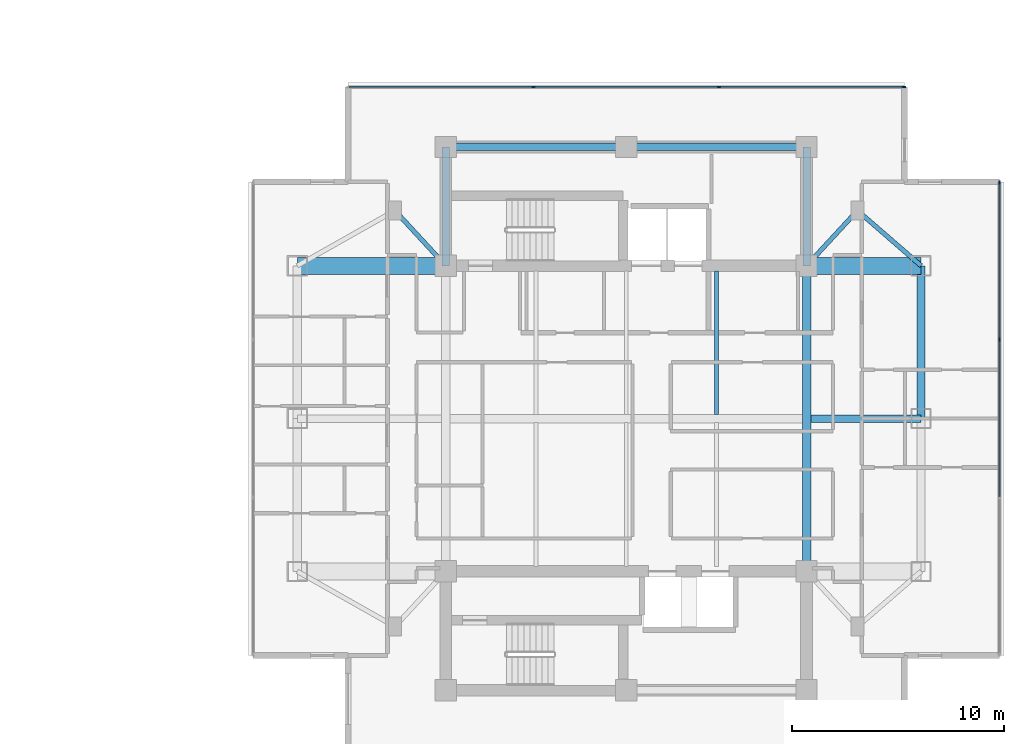
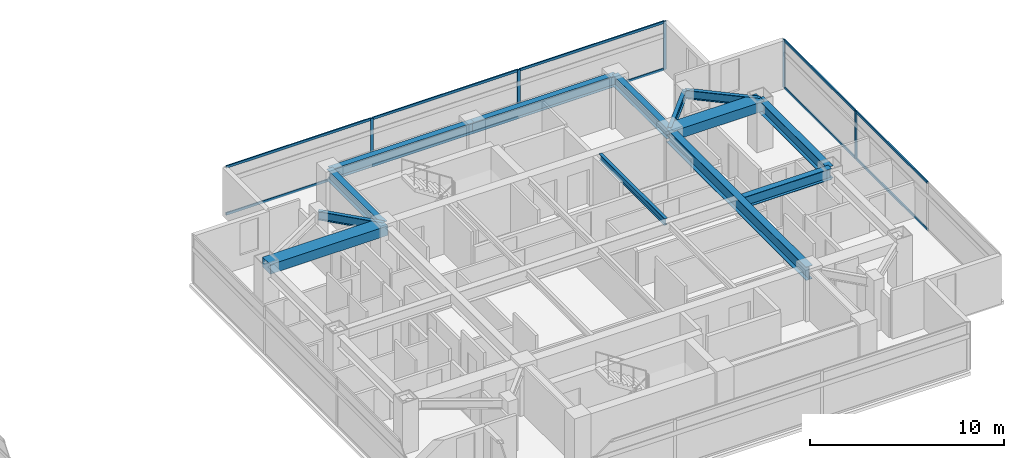
# One storey, part 10 of 24: 15 members, 13 beams, 2 elements without a shape of their own.
"""IFC4 building model written with IfcOpenShell, lengths in metres."""

import ifcopenshell
import ifcopenshell.guid

model = None  # the IFC model being written
_history = None  # IfcOwnerHistory: only IFC2X3 demands one
_inside = {}  # id of a spatial element -> (the spatial element, [elements in it])
_under = {}  # id of a project, library or spatial element -> (it, [spatial elements below it])
_declared = {}  # id of a project -> (the project, [libraries it declares])
_typed = {}  # id of a type object -> (the type object, [elements of that type])
_made_of = {}  # id of a material, layer set ... -> (it, [elements and type objects made of it])


def new_model(schema):
    """Start an empty IFC model of exactly this schema.

    Asked for "IFC4X3", IfcOpenShell would pick the latest addendum, in which some entities
    have other attributes; the version numbers below select the first issue.
    IFC2X3 requires an IfcOwnerHistory on every rooted entity: one is made here for all.
    """
    global model, _history
    if schema == "IFC4X3":
        model = ifcopenshell.file(schema_version=(4, 3, 0, 0))
    else:
        model = ifcopenshell.file(schema=schema)
    _inside.clear()
    _under.clear()
    _declared.clear()
    _typed.clear()
    _made_of.clear()
    _history = None
    if model.schema == "IFC2X3":
        org = make("IfcOrganization", Name="unknown")
        user = make(
            "IfcPersonAndOrganization",
            ThePerson=make("IfcPerson", FamilyName="unknown"),
            TheOrganization=org,
        )
        app = make(
            "IfcApplication",
            ApplicationDeveloper=org,
            Version="unknown",
            ApplicationFullName="unknown",
            ApplicationIdentifier="unknown",
        )
        _history = make(
            "IfcOwnerHistory",
            OwningUser=user,
            OwningApplication=app,
            ChangeAction="ADDED",
            CreationDate=0,
        )
    return model


def make(cls, **values):
    """One entity of the class cls with the attributes given. An attribute that is None is left unset."""
    return model.create_entity(
        cls, **{name: value for name, value in values.items() if value is not None}
    )


def rooted(cls, **values):
    """An entity with a GlobalId (a new one), such as an element, a storey or a relation."""
    return make(cls, GlobalId=ifcopenshell.guid.new(), OwnerHistory=_history, **values)


def si_unit(unit_type, name, prefix=None):
    """IfcSIUnit, for example si_unit("LENGTHUNIT", "METRE", prefix="MILLI")."""
    return make("IfcSIUnit", UnitType=unit_type, Prefix=prefix, Name=name)


def assignment(units):
    """IfcUnitAssignment: the units of a project."""
    return None if units is None else make("IfcUnitAssignment", Units=units)


def point(xyz):
    """IfcCartesianPoint."""
    return None if xyz is None else make("IfcCartesianPoint", Coordinates=xyz)


def direction(xyz):
    """IfcDirection."""
    return None if xyz is None else make("IfcDirection", DirectionRatios=xyz)


def frame(location, z_axis=None, x_axis=None):
    """IfcAxis2Placement3D, a coordinate frame: its origin and axes. An axis left out is left unset."""
    return make(
        "IfcAxis2Placement3D",
        Location=point(location),
        Axis=direction(z_axis),
        RefDirection=direction(x_axis),
    )


def frame_2d(location, x_axis=None):
    """IfcAxis2Placement2D, a coordinate frame in the plane: its origin and x axis."""
    return make(
        "IfcAxis2Placement2D", Location=point(location), RefDirection=direction(x_axis)
    )


def origin():
    """The frame at (0, 0, 0) with its axes left unset."""
    return frame((0.0, 0.0, 0.0))


def origin_2d():
    """The frame at (0, 0) in the plane with its x axis left unset."""
    return frame_2d((0.0, 0.0))


def place(relative_to, where):
    """IfcLocalPlacement: puts the frame where relative to a parent placement (None: the world)."""
    return make(
        "IfcLocalPlacement", PlacementRelTo=relative_to, RelativePlacement=where
    )


def context(
    kind, dimensions, precision=None, world=None, true_north=None, identifier=None
):
    """IfcGeometricRepresentationContext, for example the 3D "Model" context."""
    return make(
        "IfcGeometricRepresentationContext",
        ContextIdentifier=identifier,
        ContextType=kind,
        CoordinateSpaceDimension=dimensions,
        Precision=precision,
        WorldCoordinateSystem=world,
        TrueNorth=true_north,
    )


def subcontext(parent, identifier, kind, view, scale=None):
    """IfcGeometricRepresentationSubContext, for example "Body" below "Model"."""
    return make(
        "IfcGeometricRepresentationSubContext",
        ContextIdentifier=identifier,
        ContextType=kind,
        ParentContext=parent,
        TargetScale=scale,
        TargetView=view,
    )


def project(units=None, contexts=None):
    """IfcProject with its units and contexts."""
    return rooted(
        "IfcProject",
        Name="project",
        RepresentationContexts=contexts,
        UnitsInContext=assignment(units),
    )


def spatial(cls, under=None, at=None, **own):
    """A site, building, storey or space (cls), placed at a placement, below another one or the project."""
    s = rooted(cls, ObjectPlacement=at, **own)
    if under is not None:
        _under.setdefault(under.id(), (under, []))[1].append(s)
    return s


def profile(cls, at=None, kind="AREA", **sizes):
    """A parametric profile (cls). Its sizes go by their IFC names, for example OverallWidth=200.0."""
    return make(cls, ProfileType=kind, Position=at, **sizes)


def rectangle(**sizes):
    """IfcRectangleProfileDef."""
    return profile("IfcRectangleProfileDef", **sizes)


def i_section(**sizes):
    """IfcIShapeProfileDef."""
    return profile("IfcIShapeProfileDef", **sizes)


def extrude(swept, where, along, depth):
    """IfcExtrudedAreaSolid: the profile swept, set in the frame where, extruded along a direction by depth."""
    return make(
        "IfcExtrudedAreaSolid",
        SweptArea=swept,
        Position=where,
        ExtrudedDirection=direction(along),
        Depth=depth,
    )


def shape(context_of_items, identifier, shape_type, items):
    """IfcShapeRepresentation: the items that make up one representation, for example the "Body"."""
    return make(
        "IfcShapeRepresentation",
        ContextOfItems=context_of_items,
        RepresentationIdentifier=identifier,
        RepresentationType=shape_type,
        Items=items,
    )


def material(Name=None, Category=None):
    """IfcMaterial."""
    return make("IfcMaterial", Name=Name, Category=Category)


def material_profile(
    of_material, cross_section, Name=None, Category=None, Priority=None
):
    """IfcMaterialProfile: a cross section and its material."""
    return make(
        "IfcMaterialProfile",
        Name=Name,
        Material=of_material,
        Profile=cross_section,
        Priority=Priority,
        Category=Category,
    )


def profile_set(profiles, Name=None, composite=None):
    """IfcMaterialProfileSet."""
    return make(
        "IfcMaterialProfileSet",
        Name=Name,
        MaterialProfiles=profiles,
        CompositeProfile=composite,
    )


def made_of(thing, what):
    """Note that an element or type object is made of a material, layer set ...; save() writes the relation."""
    if what is not None:
        _made_of.setdefault(what.id(), (what, []))[1].append(thing)
    return thing


def type_object(cls, material=None, **own):
    """A type object (cls), such as IfcWallType, which elements share."""
    return made_of(rooted(cls, **own), material)


def element(
    cls,
    number,
    at=None,
    inside=None,
    cuts=None,
    type_object=None,
    material=None,
    context=None,
    identifier="Body",
    shape_type=None,
    held_by="IfcProductDefinitionShape",
    body=None,
    shapes=None,
    **own,
):
    """One element of the class cls, such as IfcWall. Its Tag is "e" and its number.

    at: its placement. inside: the storey or other place that contains it. cuts: it is an
    opening in that element (IfcRelVoidsElement). A single representation is given by context,
    identifier, shape_type and body (its items); several are given by shapes. held_by: the class
    of the entity that holds the representations. save() writes the other relations.
    """
    e = rooted(cls, Tag="e%d" % number, ObjectPlacement=at, **own)
    if body is not None:
        shapes = [shape(context, identifier, shape_type, body)]
    if shapes is not None:
        e.Representation = make(held_by, Representations=shapes)
    if inside is not None:
        _inside.setdefault(inside.id(), (inside, []))[1].append(e)
    if cuts is not None:
        rooted(
            "IfcRelVoidsElement", RelatingBuildingElement=cuts, RelatedOpeningElement=e
        )
    if type_object is not None:
        _typed.setdefault(type_object.id(), (type_object, []))[1].append(e)
    return made_of(e, material)


def aggregate(whole, parts):
    """IfcRelAggregates: a whole, such as a stair, and the parts it consists of."""
    return rooted("IfcRelAggregates", RelatingObject=whole, RelatedObjects=parts)


def save(model, path):
    """Write the relations noted so far, then the file.

    IfcRelAggregates (storeys below a building ...), IfcRelContainedInSpatialStructure (elements
    in a storey), IfcRelDefinesByType, IfcRelAssociatesMaterial and IfcRelDeclares: one each for
    every whole, place, type object, material and project.
    """
    for whole, parts in _under.values():
        aggregate(whole, parts)
    for where, things in _inside.values():
        rooted(
            "IfcRelContainedInSpatialStructure",
            RelatedElements=things,
            RelatingStructure=where,
        )
    for kind, things in _typed.values():
        rooted("IfcRelDefinesByType", RelatedObjects=things, RelatingType=kind)
    for what, things in _made_of.values():
        rooted("IfcRelAssociatesMaterial", RelatedObjects=things, RelatingMaterial=what)
    for by, libraries in _declared.values():
        rooted("IfcRelDeclares", RelatingContext=by, RelatedDefinitions=libraries)
    model.write(path)


model = new_model("IFC4")

# Units and contexts
model_context = context("Model", 3, precision=1e-05, world=origin(), true_north=direction((0.0, 1.0)))
body_context = subcontext(model_context, "Body", "Model", "MODEL_VIEW")
ifc_project = project(units=[si_unit("LENGTHUNIT", "METRE"), si_unit("AREAUNIT", "SQUARE_METRE"), si_unit("VOLUMEUNIT", "CUBIC_METRE"), si_unit("PLANEANGLEUNIT", "RADIAN"), si_unit("MASSUNIT", "GRAM", prefix="KILO")], contexts=[model_context])

# Site, building, storey
site_placement = place(None, origin())
site = spatial("IfcSite", under=ifc_project, at=site_placement, CompositionType="ELEMENT")
building_placement = place(site_placement, origin())
building = spatial("IfcBuilding", under=site, at=building_placement, Name="Mirazonda Arch Towers", CompositionType="ELEMENT")
storey_placement = place(building_placement, frame((0.0, 0.0, 167.39990234375)))
storey = spatial("IfcBuildingStorey", under=building, at=storey_placement, Name="L47", CompositionType="ELEMENT", Elevation=167.39990234375)

# Beams
ifc_material_1 = material(Name="Steel ASTM A992 Grade 50", Category="steel")
ifc_material_profile_1 = material_profile(ifc_material_1, i_section(OverallWidth=0.381103515625, OverallDepth=0.77294921875, WebThickness=0.0166015625, FlangeThickness=0.027099609375, at=origin_2d()), Name="W30X173")
ifc_profile_set_1 = profile_set([ifc_material_profile_1], Name="Steel ASTM A992 Grade 50")
beam_type_1 = type_object("IfcBeamType", Name="BM-EXT-W30X173", PredefinedType="USERDEFINED", material=ifc_profile_set_1)
beam_1_placement = place(storey_placement, frame((90.39990234375, 28.0, 2.66357421875), z_axis=(0.0, 1.0, 0.0), x_axis=(-1.0, 0.0, 0.0)))
element("IfcBeam", 1, at=beam_1_placement, inside=storey, type_object=beam_type_1, Name="L47 Floor Beam BM-T2-L47-NS-E-28", ObjectType="GIRDER", PredefinedType="USERDEFINED", context=body_context, shape_type="SweptSolid", body=[
    extrude(i_section(OverallWidth=0.381103515625, OverallDepth=0.77294921875, WebThickness=0.0166015625, FlangeThickness=0.027099609375, at=origin_2d()), origin(), (0.0, 0.0, 1.0), 7.199951171875),
])
ifc_material_profile_2 = material_profile(ifc_material_1, i_section(OverallWidth=0.180908203125, OverallDepth=0.4169921875, WebThickness=0.010986328125, FlangeThickness=0.018310546875, at=origin_2d()), Name="W16X57")
ifc_profile_set_2 = profile_set([ifc_material_profile_2], Name="Steel ASTM A992 Grade 50")
beam_type_2 = type_object("IfcBeamType", Name="BM-INT-W16X57", PredefinedType="JOIST", material=ifc_profile_set_2)
beam_2_placement = place(storey_placement, frame((80.75, 28.196044921875, 2.841552734375), z_axis=(0.0, 1.0, 0.0), x_axis=(-1.0, 0.0, 0.0)))
element("IfcBeam", 2, at=beam_2_placement, inside=storey, type_object=beam_type_2, Name="L47 Floor Beam BM-T2-L47-J-807-28", PredefinedType="JOIST", context=body_context, shape_type="SweptSolid", body=[
    extrude(i_section(OverallWidth=0.180908203125, OverallDepth=0.4169921875, WebThickness=0.010986328125, FlangeThickness=0.018310546875, at=origin_2d()), origin(), (0.0, 0.0, 1.0), 6.763916015625),
])
ifc_material_profile_3 = material_profile(ifc_material_1, i_section(OverallWidth=0.214111328125, OverallDepth=0.549072265625, WebThickness=0.0146484375, FlangeThickness=0.023681640625, at=origin_2d()), Name="W21X93")
ifc_profile_set_3 = profile_set([ifc_material_profile_3], Name="Steel ASTM A992 Grade 50")
beam_type_3 = type_object("IfcBeamType", Name="BM-INT-W21X93", PredefinedType="BEAM", material=ifc_profile_set_3)
for number, where, z_axis, x_axis, name in (
    (3, (65.60009765625, 37.800048828125, 2.775634765625), (0.678251444854, -0.734829897019, 0.0), (0.734829897019, 0.678251444854, 0.0), "L47 Floor Beam BM-T2-L47-PL-NW1"),
    (4, (87.39990234375, 37.800048828125, 2.775634765625), (-0.678251444854, -0.734829897019, 0.0), (0.734829897019, -0.678251444854, 0.0), "L47 Floor Beam BM-T2-L47-PL-NE1"),
):
    element("IfcBeam", number, at=place(storey_placement, frame(where, z_axis=z_axis, x_axis=x_axis)), inside=storey, type_object=beam_type_3, Name=name, PredefinedType="BEAM", context=body_context, shape_type="SweptSolid", body=[
        extrude(i_section(OverallWidth=0.214111328125, OverallDepth=0.549072265625, WebThickness=0.0146484375, FlangeThickness=0.023681640625, at=origin_2d()), origin(), (0.0, 0.0, 1.0), 3.538330078125),
    ])
beam_3_placement = place(storey_placement, frame((87.39990234375, 37.800048828125, 2.775634765625), z_axis=(0.755676908098, -0.654944585876, 0.0), x_axis=(0.654944585876, 0.755676908098, 0.0)))
element("IfcBeam", 5, at=beam_3_placement, inside=storey, type_object=beam_type_3, Name="L47 Floor Beam BM-T2-L47-PL-NE2", PredefinedType="BEAM", context=body_context, shape_type="SweptSolid", body=[
    extrude(i_section(OverallWidth=0.214111328125, OverallDepth=0.549072265625, WebThickness=0.0146484375, FlangeThickness=0.023681640625, at=origin_2d()), origin(), (0.0, 0.0, 1.0), 3.969970703125),
])
ifc_material_profile_4 = material_profile(ifc_material_1, i_section(OverallWidth=0.35498046875, OverallDepth=0.696044921875, WebThickness=0.015380859375, FlangeThickness=0.02490234375, at=origin_2d()), Name="W27X146")
ifc_profile_set_4 = profile_set([ifc_material_profile_4], Name="Steel ASTM A992 Grade 50")
beam_type_4 = type_object("IfcBeamType", Name="BM-INT-W27X146", PredefinedType="BEAM", material=ifc_profile_set_4)
for number, where, z_axis, x_axis, name in (
    (6, (68.0, 40.800048828125, 2.7021484375), (1.0, 0.0, 0.0), (0.0, 1.0, 0.0), "L47 Floor Beam BM-T2-L47-CN1"),
    (7, (76.5, 40.800048828125, 2.7021484375), (1.0, 0.0, 0.0), (0.0, 1.0, 0.0), "L47 Floor Beam BM-T2-L47-CN2"),
):
    element("IfcBeam", number, at=place(storey_placement, frame(where, z_axis=z_axis, x_axis=x_axis)), inside=storey, type_object=beam_type_4, Name=name, PredefinedType="BEAM", context=body_context, shape_type="SweptSolid", body=[
        extrude(i_section(OverallWidth=0.35498046875, OverallDepth=0.696044921875, WebThickness=0.015380859375, FlangeThickness=0.02490234375, at=origin_2d()), origin(), (0.0, 0.0, 1.0), 8.5),
    ])
for number, where, z_axis, x_axis, name in (
    (8, (68.0, 35.199951171875, 2.7021484375), (0.0, 1.0, 0.0), (-1.0, 0.0, 0.0), "L47 Floor Beam BM-T2-L47-CNW"),
    (9, (85.0, 35.199951171875, 2.7021484375), (0.0, 1.0, 0.0), (-1.0, 0.0, 0.0), "L47 Floor Beam BM-T2-L47-CNE"),
):
    element("IfcBeam", number, at=place(storey_placement, frame(where, z_axis=z_axis, x_axis=x_axis)), inside=storey, type_object=beam_type_4, Name=name, PredefinedType="BEAM", context=body_context, shape_type="SweptSolid", body=[
        extrude(i_section(OverallWidth=0.35498046875, OverallDepth=0.696044921875, WebThickness=0.015380859375, FlangeThickness=0.02490234375, at=origin_2d()), origin(), (0.0, 0.0, 1.0), 5.60009765625),
    ])
beam_4_placement = place(storey_placement, frame((85.199951171875, 28.0, 2.7021484375), z_axis=(1.0, 0.0, 0.0), x_axis=(0.0, 1.0, 0.0)))
element("IfcBeam", 10, at=beam_4_placement, inside=storey, type_object=beam_type_4, Name="L47 Floor Beam BM-T2-L47-GE2", PredefinedType="BEAM", context=body_context, shape_type="SweptSolid", body=[
    extrude(i_section(OverallWidth=0.35498046875, OverallDepth=0.696044921875, WebThickness=0.015380859375, FlangeThickness=0.02490234375, at=origin_2d()), origin(), (0.0, 0.0, 1.0), 5.199951171875),
])
ifc_material_profile_5 = material_profile(ifc_material_1, i_section(OverallWidth=0.39990234375, OverallDepth=0.85595703125, WebThickness=0.018310546875, FlangeThickness=0.029296875, at=origin_2d()), Name="W33X201")
ifc_profile_set_5 = profile_set([ifc_material_profile_5], Name="Steel ASTM A992 Grade 50")
beam_type_5 = type_object("IfcBeamType", Name="BM-INT-W33X201", PredefinedType="USERDEFINED", material=ifc_profile_set_5)
beam_5_placement = place(storey_placement, frame((85.0, 20.800048828125, 2.6220703125), z_axis=(0.0, 1.0, 0.0), x_axis=(-1.0, 0.0, 0.0)))
element("IfcBeam", 11, at=beam_5_placement, inside=storey, type_object=beam_type_5, Name="L47 Floor Beam BM-T2-L47-NS-CE-FULL", ObjectType="GIRDER", PredefinedType="USERDEFINED", context=body_context, shape_type="SweptSolid", body=[
    extrude(i_section(OverallWidth=0.39990234375, OverallDepth=0.85595703125, WebThickness=0.018310546875, FlangeThickness=0.029296875, at=origin_2d()), origin(), (0.0, 0.0, 1.0), 14.39990234375),
])
ifc_material_2 = material(Name="Concrete C60/75", Category="concrete")
ifc_material_profile_6 = material_profile(ifc_material_2, rectangle(XDim=0.800048828125, YDim=0.60009765625, at=origin_2d()), Name="RCCB800x600")
ifc_profile_set_6 = profile_set([ifc_material_profile_6], Name="Concrete C60/75")
beam_type_6 = type_object("IfcBeamType", Name="CB-INT-RCCB800x600", PredefinedType="SPANDREL", material=ifc_profile_set_6)
beam_6_placement = place(storey_placement, frame((61.0, 35.199951171875, 2.75), z_axis=(1.0, 0.0, 0.0), x_axis=(0.0, 1.0, 0.0)))
element("IfcBeam", 12, at=beam_6_placement, inside=storey, type_object=beam_type_6, Name="L47 Floor Beam CBC-T2-L47-NW", PredefinedType="SPANDREL", context=body_context, shape_type="SweptSolid", body=[
    extrude(rectangle(XDim=0.800048828125, YDim=0.60009765625, at=origin_2d()), origin(), (0.0, 0.0, 1.0), 7.0),
])
beam_7_placement = place(storey_placement, frame((85.0, 35.199951171875, 2.75), z_axis=(1.0, 0.0, 0.0), x_axis=(0.0, 1.0, 0.0)))
element("IfcBeam", 13, at=beam_7_placement, inside=storey, type_object=beam_type_6, Name="L47 Floor Beam CBC-T2-L47-NE", PredefinedType="SPANDREL", context=body_context, shape_type="SweptSolid", body=[
    extrude(rectangle(XDim=0.800048828125, YDim=0.60009765625, at=origin_2d()), origin(), (0.0, 0.0, 1.0), 5.39990234375),
])

# Curtain wall, members
ifc_material_3 = material(Name="Anodised Aluminium and Low-E Glass", Category="aluminium")
curtain_wall_type = type_object("IfcCurtainWallType", Name="CW-RES-UNIT", PredefinedType="NOTDEFINED", material=ifc_material_3)
curtain_wall_1_placement = place(storey_placement, origin())
curtain_wall_1 = element("IfcCurtainWall", 14, at=curtain_wall_1_placement, inside=storey, type_object=curtain_wall_type, Name="L47 T2 E Facade CW-L47-T2-E", PredefinedType="NOTDEFINED")
ifc_material_4 = material(Name="Anodised Aluminium Alloy", Category="aluminium")
ifc_material_profile_7 = material_profile(ifc_material_4, rectangle(XDim=0.074951171875, YDim=0.175048828125, at=origin_2d()), Name="ALU-MULL-75x175")
ifc_profile_set_7 = profile_set([ifc_material_profile_7], Name="Anodised Aluminium Alloy")
member_type_1 = type_object("IfcMemberType", Name="MULL-CW-RES-UNIT", PredefinedType="MULLION", material=ifc_profile_set_7)
member_1_placement = place(storey_placement, frame((94.08447265625, 31.7197265625, 0.0), z_axis=(0.0, 0.0, 1.0), x_axis=(-1.0, 0.0, 0.0)))
member_1 = element("IfcMember", 15, at=member_1_placement, type_object=member_type_1, Name="CW-104 mullion 3", PredefinedType="MULLION", context=body_context, shape_type="SweptSolid", body=[
    extrude(rectangle(XDim=0.074951171875, YDim=0.175048828125, at=origin_2d()), origin(), (0.0, 0.0, 1.0), 3.030029296875),
])
member_2_placement = place(storey_placement, frame((94.08447265625, 39.1220703125, 0.0), z_axis=(0.0, 0.0, 1.0), x_axis=(-1.0, 0.0, 0.0)))
member_2 = element("IfcMember", 16, at=member_2_placement, type_object=member_type_1, Name="CW-104 mullion 4", PredefinedType="MULLION", context=body_context, shape_type="SweptSolid", body=[
    extrude(rectangle(XDim=0.074951171875, YDim=0.175048828125, at=origin_2d()), origin(), (0.0, 0.0, 1.0), 3.030029296875),
])

curtain_wall_2_placement = place(storey_placement, origin())
curtain_wall_2 = element("IfcCurtainWall", 17, at=curtain_wall_2_placement, inside=storey, type_object=curtain_wall_type, Name="L47 T2 N Facade CW-L47-T2-N", PredefinedType="NOTDEFINED")
member_3_placement = place(storey_placement, frame((72.126953125, 43.624755859375, 0.0), z_axis=(0.0, 0.0, 1.0), x_axis=(0.0, 1.0, 0.0)))
member_3 = element("IfcMember", 18, at=member_3_placement, type_object=member_type_1, Name="CW-104 mullion 2", PredefinedType="MULLION", context=body_context, shape_type="SweptSolid", body=[
    extrude(rectangle(XDim=0.074951171875, YDim=0.175048828125, at=origin_2d()), origin(), (0.0, 0.0, 1.0), 3.030029296875),
])
member_4_placement = place(storey_placement, frame((80.873046875, 43.624755859375, 0.0), z_axis=(0.0, 0.0, 1.0), x_axis=(0.0, 1.0, 0.0)))
member_4 = element("IfcMember", 19, at=member_4_placement, type_object=member_type_1, Name="CW-104 mullion 3", PredefinedType="MULLION", context=body_context, shape_type="SweptSolid", body=[
    extrude(rectangle(XDim=0.074951171875, YDim=0.175048828125, at=origin_2d()), origin(), (0.0, 0.0, 1.0), 3.030029296875),
])
member_5_placement = place(storey_placement, frame((89.581787109375, 43.624755859375, 0.0), z_axis=(0.0, 0.0, 1.0), x_axis=(0.0, 1.0, 0.0)))
member_5 = element("IfcMember", 20, at=member_5_placement, type_object=member_type_1, Name="CW-104 mullion 4", PredefinedType="MULLION", context=body_context, shape_type="SweptSolid", body=[
    extrude(rectangle(XDim=0.074951171875, YDim=0.175048828125, at=origin_2d()), origin(), (0.0, 0.0, 1.0), 3.030029296875),
])

# Member
ifc_material_profile_8 = material_profile(ifc_material_4, rectangle(XDim=0.074951171875, YDim=0.155029296875, at=origin_2d()), Name="ALU-TRAN-75x155")
ifc_profile_set_8 = profile_set([ifc_material_profile_8], Name="Anodised Aluminium Alloy")
member_type_2 = type_object("IfcMemberType", Name="TRAN-CW-RES-UNIT", PredefinedType="USERDEFINED", material=ifc_profile_set_8)
member_6_placement = place(storey_placement, frame((94.08447265625, 24.317626953125, 0.03759765625), z_axis=(0.0, 1.0, 0.0), x_axis=(-1.0, 0.0, 0.0)))
member_6 = element("IfcMember", 21, at=member_6_placement, type_object=member_type_2, Name="CW-104 transom 2.1", ObjectType="TRANSOM", PredefinedType="USERDEFINED", context=body_context, shape_type="SweptSolid", body=[
    extrude(rectangle(XDim=0.074951171875, YDim=0.155029296875, at=origin_2d()), origin(), (0.0, 0.0, 1.0), 7.36474609375),
])

member_7_placement = place(storey_placement, frame((94.08447265625, 24.317626953125, 2.99267578125), z_axis=(0.0, 1.0, 0.0), x_axis=(-1.0, 0.0, 0.0)))
member_7 = element("IfcMember", 22, at=member_7_placement, type_object=member_type_2, Name="CW-104 transom 2.2", ObjectType="TRANSOM", PredefinedType="USERDEFINED", context=body_context, shape_type="SweptSolid", body=[
    extrude(rectangle(XDim=0.074951171875, YDim=0.155029296875, at=origin_2d()), origin(), (0.0, 0.0, 1.0), 7.36474609375),
])

member_8_placement = place(storey_placement, frame((94.08447265625, 31.75732421875, 0.03759765625), z_axis=(0.0, 1.0, 0.0), x_axis=(-1.0, 0.0, 0.0)))
member_8 = element("IfcMember", 23, at=member_8_placement, type_object=member_type_2, Name="CW-104 transom 3.1", ObjectType="TRANSOM", PredefinedType="USERDEFINED", context=body_context, shape_type="SweptSolid", body=[
    extrude(rectangle(XDim=0.074951171875, YDim=0.155029296875, at=origin_2d()), origin(), (0.0, 0.0, 1.0), 7.3271484375),
])

member_9_placement = place(storey_placement, frame((94.08447265625, 31.75732421875, 2.99267578125), z_axis=(0.0, 1.0, 0.0), x_axis=(-1.0, 0.0, 0.0)))
member_9 = element("IfcMember", 24, at=member_9_placement, type_object=member_type_2, Name="CW-104 transom 3.2", ObjectType="TRANSOM", PredefinedType="USERDEFINED", context=body_context, shape_type="SweptSolid", body=[
    extrude(rectangle(XDim=0.074951171875, YDim=0.155029296875, at=origin_2d()), origin(), (0.0, 0.0, 1.0), 7.3271484375),
])

aggregate(curtain_wall_1, [member_1, member_2, member_6, member_7, member_8, member_9])

member_10_placement = place(storey_placement, frame((63.455810546875, 43.624755859375, 0.03759765625), z_axis=(1.0, 0.0, 0.0), x_axis=(0.0, 1.0, 0.0)))
member_10 = element("IfcMember", 25, at=member_10_placement, type_object=member_type_2, Name="CW-104 transom 1.1", ObjectType="TRANSOM", PredefinedType="USERDEFINED", context=body_context, shape_type="SweptSolid", body=[
    extrude(rectangle(XDim=0.074951171875, YDim=0.155029296875, at=origin_2d()), origin(), (0.0, 0.0, 1.0), 8.633544921875),
])

member_11_placement = place(storey_placement, frame((63.455810546875, 43.624755859375, 2.99267578125), z_axis=(1.0, 0.0, 0.0), x_axis=(0.0, 1.0, 0.0)))
member_11 = element("IfcMember", 26, at=member_11_placement, type_object=member_type_2, Name="CW-104 transom 1.2", ObjectType="TRANSOM", PredefinedType="USERDEFINED", context=body_context, shape_type="SweptSolid", body=[
    extrude(rectangle(XDim=0.074951171875, YDim=0.155029296875, at=origin_2d()), origin(), (0.0, 0.0, 1.0), 8.633544921875),
])

member_12_placement = place(storey_placement, frame((72.164306640625, 43.624755859375, 0.03759765625), z_axis=(1.0, 0.0, 0.0), x_axis=(0.0, 1.0, 0.0)))
member_12 = element("IfcMember", 27, at=member_12_placement, type_object=member_type_2, Name="CW-104 transom 2.1", ObjectType="TRANSOM", PredefinedType="USERDEFINED", context=body_context, shape_type="SweptSolid", body=[
    extrude(rectangle(XDim=0.074951171875, YDim=0.155029296875, at=origin_2d()), origin(), (0.0, 0.0, 1.0), 8.67138671875),
])

member_13_placement = place(storey_placement, frame((72.164306640625, 43.624755859375, 2.99267578125), z_axis=(1.0, 0.0, 0.0), x_axis=(0.0, 1.0, 0.0)))
member_13 = element("IfcMember", 28, at=member_13_placement, type_object=member_type_2, Name="CW-104 transom 2.2", ObjectType="TRANSOM", PredefinedType="USERDEFINED", context=body_context, shape_type="SweptSolid", body=[
    extrude(rectangle(XDim=0.074951171875, YDim=0.155029296875, at=origin_2d()), origin(), (0.0, 0.0, 1.0), 8.67138671875),
])

member_14_placement = place(storey_placement, frame((80.91064453125, 43.624755859375, 0.03759765625), z_axis=(1.0, 0.0, 0.0), x_axis=(0.0, 1.0, 0.0)))
member_14 = element("IfcMember", 29, at=member_14_placement, type_object=member_type_2, Name="CW-104 transom 3.1", ObjectType="TRANSOM", PredefinedType="USERDEFINED", context=body_context, shape_type="SweptSolid", body=[
    extrude(rectangle(XDim=0.074951171875, YDim=0.155029296875, at=origin_2d()), origin(), (0.0, 0.0, 1.0), 8.633544921875),
])

member_15_placement = place(storey_placement, frame((80.91064453125, 43.624755859375, 2.99267578125), z_axis=(1.0, 0.0, 0.0), x_axis=(0.0, 1.0, 0.0)))
member_15 = element("IfcMember", 30, at=member_15_placement, type_object=member_type_2, Name="CW-104 transom 3.2", ObjectType="TRANSOM", PredefinedType="USERDEFINED", context=body_context, shape_type="SweptSolid", body=[
    extrude(rectangle(XDim=0.074951171875, YDim=0.155029296875, at=origin_2d()), origin(), (0.0, 0.0, 1.0), 8.633544921875),
])

aggregate(curtain_wall_2, [member_3, member_4, member_5, member_10, member_11, member_12, member_13, member_14, member_15])

save(model, "model.ifc")
